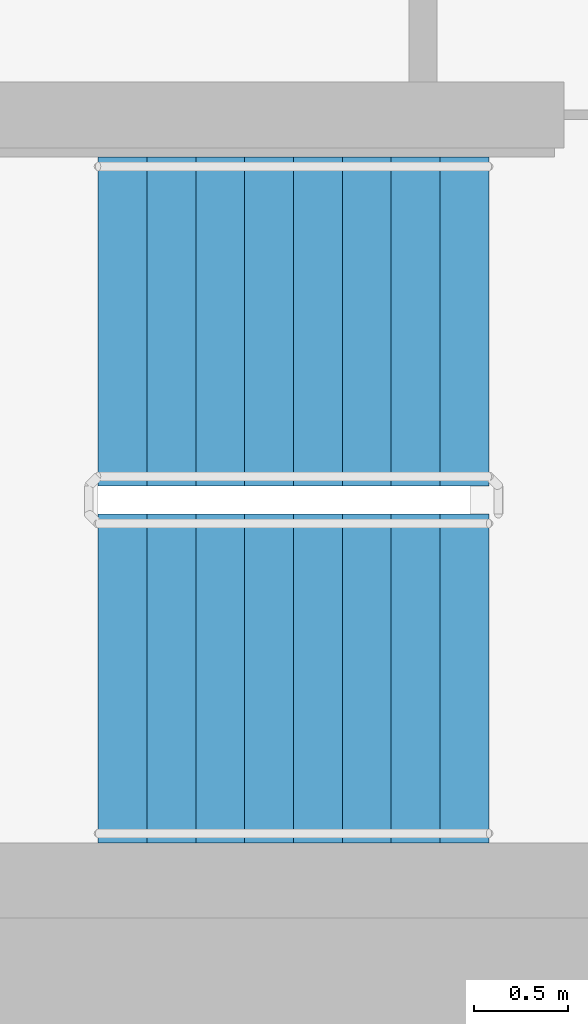
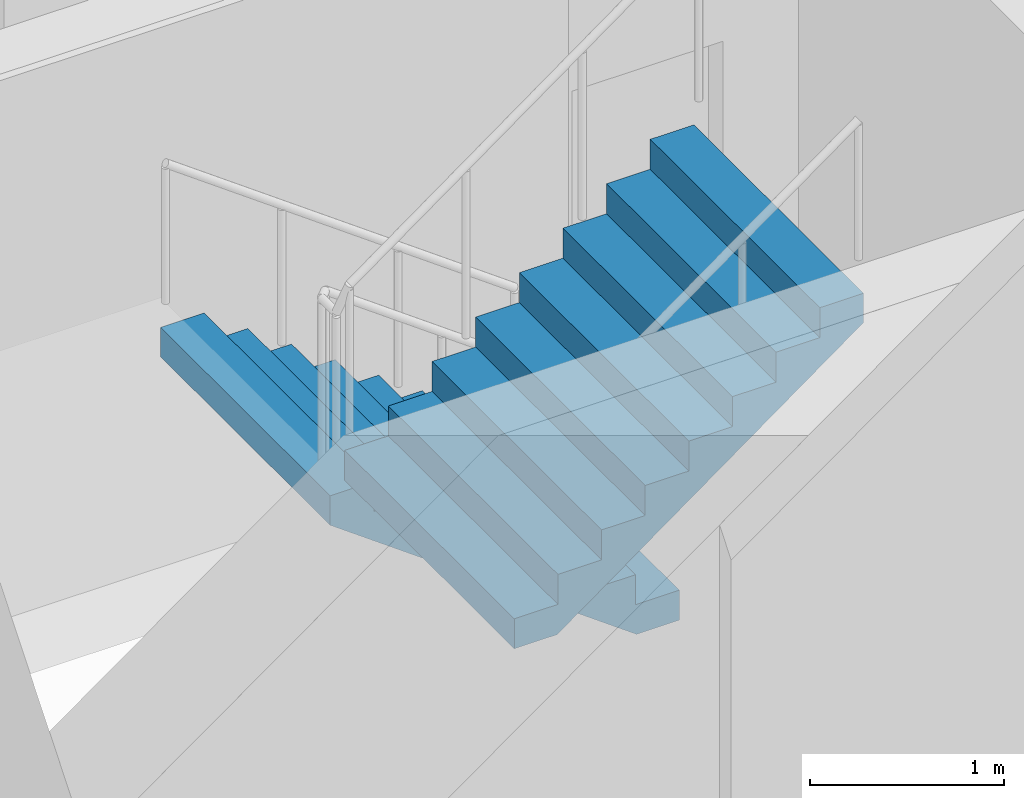
# One storey, part 13 of 19: 2 stair flights, 1 element without a shape of its own.
"""IFC4 building model written with IfcOpenShell, lengths in metres."""

from ifc_helpers import new_model, si_unit, direction, frame, origin, place, context, subcontext, project, spatial, faceted_brep, material, type_object, element, aggregate, save


model = new_model("IFC4")

# Units and contexts
model_context = context("Model", 3, precision=1e-05, world=origin(), true_north=direction((0.0, 1.0)))
body_context = subcontext(model_context, "Body", "Model", "MODEL_VIEW")
ifc_project = project(units=[si_unit("LENGTHUNIT", "METRE"), si_unit("AREAUNIT", "SQUARE_METRE"), si_unit("VOLUMEUNIT", "CUBIC_METRE"), si_unit("PLANEANGLEUNIT", "RADIAN"), si_unit("MASSUNIT", "GRAM", prefix="KILO")], contexts=[model_context])

# Site, building, storey
site_placement = place(None, origin())
site = spatial("IfcSite", under=ifc_project, at=site_placement, CompositionType="ELEMENT")
building_placement = place(site_placement, origin())
building = spatial("IfcBuilding", under=site, at=building_placement, Name="Ipe Terrace Towers", CompositionType="ELEMENT")
storey_placement = place(building_placement, frame((0.0, 0.0, 157.5)))
storey = spatial("IfcBuildingStorey", under=building, at=storey_placement, Name="L43", CompositionType="ELEMENT", Elevation=157.5)

# Stair, stair flights
ifc_material_1 = material(Name="Concrete C30/37", Category="concrete")
stair_type = type_object("IfcStairType", Name="Protected exit stair", PredefinedType="HALF_TURN_STAIR", material=ifc_material_1)
stair_placement = place(storey_placement, origin())
stair = element("IfcStair", 1, at=stair_placement, inside=storey, type_object=stair_type, Name="L43 Exit stair T1-C2", PredefinedType="HALF_TURN_STAIR")
ifc_material_2 = material(Name="Concrete C30/37", Category="concrete")
stair_flight_type = type_object("IfcStairFlightType", Name="Exit stair flight 1750", PredefinedType="STRAIGHT", material=ifc_material_2)
stair_flight_1_placement = place(storey_placement, frame((-45.699951171875, -2.77490234375, 0.0), z_axis=(0.0, 0.0, 1.0), x_axis=(-1.0, 0.0, 0.0)))
stair_flight_1 = element("IfcStairFlight", 2, at=stair_flight_1_placement, type_object=stair_flight_type, Name="T1-ST2 flight 1", NumberOfRisers=9, NumberOfTreads=8, PredefinedType="STRAIGHT", RiserHeight=0.188888889, TreadLength=0.26, context=body_context, shape_type="Brep", body=[
    faceted_brep([(0.255126953125, -0.875, 0.0), (2.080078125, -0.875, 1.325927734375), (2.080078125, -0.875, 1.51123046875), (1.820068359375, -0.875, 1.51123046875), (1.820068359375, -0.875, 1.322265625), (1.56005859375, -0.875, 1.322265625), (1.56005859375, -0.875, 1.13330078125), (1.300048828125, -0.875, 1.13330078125), (1.300048828125, -0.875, 0.9443359375), (1.0400390625, -0.875, 0.9443359375), (1.0400390625, -0.875, 0.755615234375), (0.780029296875, -0.875, 0.755615234375), (0.780029296875, -0.875, 0.566650390625), (0.52001953125, -0.875, 0.566650390625), (0.52001953125, -0.875, 0.377685546875), (0.260009765625, -0.875, 0.377685546875), (0.260009765625, -0.875, 0.18896484375), (0.0, -0.875, 0.18896484375), (0.0, -0.875, 0.0), (0.0, 0.875, 0.0), (0.0, 0.875, 0.18896484375), (0.260009765625, 0.875, 0.18896484375), (0.260009765625, 0.875, 0.377685546875), (0.52001953125, 0.875, 0.377685546875), (0.52001953125, 0.875, 0.566650390625), (0.780029296875, 0.875, 0.566650390625), (0.780029296875, 0.875, 0.755615234375), (1.0400390625, 0.875, 0.755615234375), (1.0400390625, 0.875, 0.9443359375), (1.300048828125, 0.875, 0.9443359375), (1.300048828125, 0.875, 1.13330078125), (1.56005859375, 0.875, 1.13330078125), (1.56005859375, 0.875, 1.322265625), (1.820068359375, 0.875, 1.322265625), (1.820068359375, 0.875, 1.51123046875), (2.080078125, 0.875, 1.51123046875), (2.080078125, 0.875, 1.325927734375), (0.255126953125, 0.875, 0.0), (0.0, -0.300048828125, 0.18896484375), (0.0, -0.1201171875, 0.18896484375), (0.0, -0.06005859375, 0.18896484375), (0.0, -0.030029296875, 0.18896484375), (0.0, -0.010009765625, 0.18896484375), (0.0, 0.0, 0.18896484375), (0.0, 0.010009765625, 0.18896484375), (0.0, 0.030029296875, 0.18896484375), (0.0, 0.06005859375, 0.18896484375), (0.0, 0.1201171875, 0.18896484375), (0.0, 0.300048828125, 0.18896484375), (0.0, 0.300048828125, 0.0), (0.0, 0.1201171875, 0.0), (0.0, 0.06005859375, 0.0), (0.0, 0.030029296875, 0.0), (0.0, 0.010009765625, 0.0), (0.0, 0.0, 0.0), (0.0, -0.010009765625, 0.0), (0.0, -0.030029296875, 0.0), (0.0, -0.06005859375, 0.0), (0.0, -0.1201171875, 0.0), (0.0, -0.300048828125, 0.0), (0.260009765625, -0.300048828125, 0.18896484375), (0.260009765625, -0.1201171875, 0.18896484375), (0.260009765625, -0.06005859375, 0.18896484375), (0.260009765625, -0.030029296875, 0.18896484375), (0.260009765625, -0.010009765625, 0.18896484375), (0.260009765625, 0.0, 0.18896484375), (0.260009765625, 0.010009765625, 0.18896484375), (0.260009765625, 0.030029296875, 0.18896484375), (0.260009765625, 0.06005859375, 0.18896484375), (0.260009765625, 0.1201171875, 0.18896484375), (0.260009765625, 0.300048828125, 0.18896484375), (0.260009765625, -0.300048828125, 0.377685546875), (0.260009765625, -0.1201171875, 0.377685546875), (0.260009765625, -0.06005859375, 0.377685546875), (0.260009765625, -0.030029296875, 0.377685546875), (0.260009765625, -0.010009765625, 0.377685546875), (0.260009765625, 0.0, 0.377685546875), (0.260009765625, 0.010009765625, 0.377685546875), (0.260009765625, 0.030029296875, 0.377685546875), (0.260009765625, 0.06005859375, 0.377685546875), (0.260009765625, 0.1201171875, 0.377685546875), (0.260009765625, 0.300048828125, 0.377685546875), (0.52001953125, -0.300048828125, 0.377685546875), (0.52001953125, -0.1201171875, 0.377685546875), (0.52001953125, -0.06005859375, 0.377685546875), (0.52001953125, -0.030029296875, 0.377685546875), (0.52001953125, -0.010009765625, 0.377685546875), (0.52001953125, 0.0, 0.377685546875), (0.52001953125, 0.010009765625, 0.377685546875), (0.52001953125, 0.030029296875, 0.377685546875), (0.52001953125, 0.06005859375, 0.377685546875), (0.52001953125, 0.1201171875, 0.377685546875), (0.52001953125, 0.300048828125, 0.377685546875), (0.52001953125, -0.300048828125, 0.566650390625), (0.52001953125, -0.1201171875, 0.566650390625), (0.52001953125, -0.06005859375, 0.566650390625), (0.52001953125, -0.030029296875, 0.566650390625), (0.52001953125, -0.010009765625, 0.566650390625), (0.52001953125, 0.0, 0.566650390625), (0.52001953125, 0.010009765625, 0.566650390625), (0.52001953125, 0.030029296875, 0.566650390625), (0.52001953125, 0.06005859375, 0.566650390625), (0.52001953125, 0.1201171875, 0.566650390625), (0.52001953125, 0.300048828125, 0.566650390625), (0.780029296875, -0.300048828125, 0.566650390625), (0.780029296875, -0.1201171875, 0.566650390625), (0.780029296875, -0.06005859375, 0.566650390625), (0.780029296875, -0.030029296875, 0.566650390625), (0.780029296875, -0.010009765625, 0.566650390625), (0.780029296875, 0.0, 0.566650390625), (0.780029296875, 0.010009765625, 0.566650390625), (0.780029296875, 0.030029296875, 0.566650390625), (0.780029296875, 0.06005859375, 0.566650390625), (0.780029296875, 0.1201171875, 0.566650390625), (0.780029296875, 0.300048828125, 0.566650390625), (0.780029296875, -0.300048828125, 0.755615234375), (0.780029296875, -0.1201171875, 0.755615234375), (0.780029296875, -0.06005859375, 0.755615234375), (0.780029296875, -0.030029296875, 0.755615234375), (0.780029296875, -0.010009765625, 0.755615234375), (0.780029296875, 0.0, 0.755615234375), (0.780029296875, 0.010009765625, 0.755615234375), (0.780029296875, 0.030029296875, 0.755615234375), (0.780029296875, 0.06005859375, 0.755615234375), (0.780029296875, 0.1201171875, 0.755615234375), (0.780029296875, 0.300048828125, 0.755615234375), (1.0400390625, -0.300048828125, 0.755615234375), (1.0400390625, -0.1201171875, 0.755615234375), (1.0400390625, -0.06005859375, 0.755615234375), (1.0400390625, -0.030029296875, 0.755615234375), (1.0400390625, -0.010009765625, 0.755615234375), (1.0400390625, 0.0, 0.755615234375), (1.0400390625, 0.010009765625, 0.755615234375), (1.0400390625, 0.030029296875, 0.755615234375), (1.0400390625, 0.06005859375, 0.755615234375), (1.0400390625, 0.1201171875, 0.755615234375), (1.0400390625, 0.300048828125, 0.755615234375), (1.0400390625, -0.300048828125, 0.9443359375), (1.0400390625, -0.1201171875, 0.9443359375), (1.0400390625, -0.06005859375, 0.9443359375), (1.0400390625, -0.030029296875, 0.9443359375), (1.0400390625, -0.010009765625, 0.9443359375), (1.0400390625, 0.0, 0.9443359375), (1.0400390625, 0.010009765625, 0.9443359375), (1.0400390625, 0.030029296875, 0.9443359375), (1.0400390625, 0.06005859375, 0.9443359375), (1.0400390625, 0.1201171875, 0.9443359375), (1.0400390625, 0.300048828125, 0.9443359375), (1.300048828125, -0.300048828125, 0.9443359375), (1.300048828125, -0.1201171875, 0.9443359375), (1.300048828125, -0.06005859375, 0.9443359375), (1.300048828125, -0.030029296875, 0.9443359375), (1.300048828125, -0.010009765625, 0.9443359375), (1.300048828125, 0.0, 0.9443359375), (1.300048828125, 0.010009765625, 0.9443359375), (1.300048828125, 0.030029296875, 0.9443359375), (1.300048828125, 0.06005859375, 0.9443359375), (1.300048828125, 0.1201171875, 0.9443359375), (1.300048828125, 0.300048828125, 0.9443359375), (1.300048828125, -0.300048828125, 1.13330078125), (1.300048828125, -0.1201171875, 1.13330078125), (1.300048828125, -0.06005859375, 1.13330078125), (1.300048828125, -0.030029296875, 1.13330078125), (1.300048828125, -0.010009765625, 1.13330078125), (1.300048828125, 0.0, 1.13330078125), (1.300048828125, 0.010009765625, 1.13330078125), (1.300048828125, 0.030029296875, 1.13330078125), (1.300048828125, 0.06005859375, 1.13330078125), (1.300048828125, 0.1201171875, 1.13330078125), (1.300048828125, 0.300048828125, 1.13330078125), (1.56005859375, -0.300048828125, 1.13330078125), (1.56005859375, -0.1201171875, 1.13330078125), (1.56005859375, -0.06005859375, 1.13330078125), (1.56005859375, -0.030029296875, 1.13330078125), (1.56005859375, -0.010009765625, 1.13330078125), (1.56005859375, 0.0, 1.13330078125), (1.56005859375, 0.010009765625, 1.13330078125), (1.56005859375, 0.030029296875, 1.13330078125), (1.56005859375, 0.06005859375, 1.13330078125), (1.56005859375, 0.1201171875, 1.13330078125), (1.56005859375, 0.300048828125, 1.13330078125), (1.56005859375, -0.300048828125, 1.322265625), (1.56005859375, -0.1201171875, 1.322265625), (1.56005859375, -0.06005859375, 1.322265625), (1.56005859375, -0.030029296875, 1.322265625), (1.56005859375, -0.010009765625, 1.322265625), (1.56005859375, 0.0, 1.322265625), (1.56005859375, 0.010009765625, 1.322265625), (1.56005859375, 0.030029296875, 1.322265625), (1.56005859375, 0.06005859375, 1.322265625), (1.56005859375, 0.1201171875, 1.322265625), (1.56005859375, 0.300048828125, 1.322265625), (1.820068359375, -0.300048828125, 1.322265625), (1.820068359375, -0.1201171875, 1.322265625), (1.820068359375, -0.06005859375, 1.322265625), (1.820068359375, -0.030029296875, 1.322265625), (1.820068359375, -0.010009765625, 1.322265625), (1.820068359375, 0.0, 1.322265625), (1.820068359375, 0.010009765625, 1.322265625), (1.820068359375, 0.030029296875, 1.322265625), (1.820068359375, 0.06005859375, 1.322265625), (1.820068359375, 0.1201171875, 1.322265625), (1.820068359375, 0.300048828125, 1.322265625), (1.820068359375, -0.300048828125, 1.51123046875), (1.820068359375, -0.1201171875, 1.51123046875), (1.820068359375, -0.06005859375, 1.51123046875), (1.820068359375, -0.030029296875, 1.51123046875), (1.820068359375, -0.010009765625, 1.51123046875), (1.820068359375, 0.0, 1.51123046875), (1.820068359375, 0.010009765625, 1.51123046875), (1.820068359375, 0.030029296875, 1.51123046875), (1.820068359375, 0.06005859375, 1.51123046875), (1.820068359375, 0.1201171875, 1.51123046875), (1.820068359375, 0.300048828125, 1.51123046875), (2.080078125, -0.300048828125, 1.51123046875), (2.080078125, -0.1201171875, 1.51123046875), (2.080078125, -0.06005859375, 1.51123046875), (2.080078125, -0.030029296875, 1.51123046875), (2.080078125, -0.010009765625, 1.51123046875), (2.080078125, 0.0, 1.51123046875), (2.080078125, 0.010009765625, 1.51123046875), (2.080078125, 0.030029296875, 1.51123046875), (2.080078125, 0.06005859375, 1.51123046875), (2.080078125, 0.1201171875, 1.51123046875), (2.080078125, 0.300048828125, 1.51123046875), (2.080078125, -0.300048828125, 1.325927734375), (2.080078125, -0.1201171875, 1.325927734375), (2.080078125, -0.06005859375, 1.325927734375), (2.080078125, -0.030029296875, 1.325927734375), (2.080078125, -0.010009765625, 1.325927734375), (2.080078125, 0.0, 1.325927734375), (2.080078125, 0.010009765625, 1.325927734375), (2.080078125, 0.030029296875, 1.325927734375), (2.080078125, 0.06005859375, 1.325927734375), (2.080078125, 0.1201171875, 1.325927734375), (2.080078125, 0.300048828125, 1.325927734375), (0.255126953125, -0.300048828125, 0.0), (0.255126953125, -0.1201171875, 0.0), (0.255126953125, -0.06005859375, 0.0), (0.255126953125, -0.030029296875, 0.0), (0.255126953125, -0.010009765625, 0.0), (0.255126953125, 0.0, 0.0), (0.255126953125, 0.010009765625, 0.0), (0.255126953125, 0.030029296875, 0.0), (0.255126953125, 0.06005859375, 0.0), (0.255126953125, 0.1201171875, 0.0), (0.255126953125, 0.300048828125, 0.0)], [[[0, 1, 2, 3, 4, 5, 6, 7, 8, 9, 10, 11, 12, 13, 14, 15, 16, 17, 18]], [[19, 20, 21, 22, 23, 24, 25, 26, 27, 28, 29, 30, 31, 32, 33, 34, 35, 36, 37]], [[17, 38, 39, 40, 41, 42, 43, 44, 45, 46, 47, 48, 20, 19, 49, 50, 51, 52, 53, 54, 55, 56, 57, 58, 59, 18]], [[16, 60, 61, 62, 63, 64, 65, 66, 67, 68, 69, 70, 21, 20, 48, 47, 46, 45, 44, 43, 42, 41, 40, 39, 38, 17]], [[15, 71, 72, 73, 74, 75, 76, 77, 78, 79, 80, 81, 22, 21, 70, 69, 68, 67, 66, 65, 64, 63, 62, 61, 60, 16]], [[14, 82, 83, 84, 85, 86, 87, 88, 89, 90, 91, 92, 23, 22, 81, 80, 79, 78, 77, 76, 75, 74, 73, 72, 71, 15]], [[13, 93, 94, 95, 96, 97, 98, 99, 100, 101, 102, 103, 24, 23, 92, 91, 90, 89, 88, 87, 86, 85, 84, 83, 82, 14]], [[12, 104, 105, 106, 107, 108, 109, 110, 111, 112, 113, 114, 25, 24, 103, 102, 101, 100, 99, 98, 97, 96, 95, 94, 93, 13]], [[11, 115, 116, 117, 118, 119, 120, 121, 122, 123, 124, 125, 26, 25, 114, 113, 112, 111, 110, 109, 108, 107, 106, 105, 104, 12]], [[10, 126, 127, 128, 129, 130, 131, 132, 133, 134, 135, 136, 27, 26, 125, 124, 123, 122, 121, 120, 119, 118, 117, 116, 115, 11]], [[9, 137, 138, 139, 140, 141, 142, 143, 144, 145, 146, 147, 28, 27, 136, 135, 134, 133, 132, 131, 130, 129, 128, 127, 126, 10]], [[8, 148, 149, 150, 151, 152, 153, 154, 155, 156, 157, 158, 29, 28, 147, 146, 145, 144, 143, 142, 141, 140, 139, 138, 137, 9]], [[7, 159, 160, 161, 162, 163, 164, 165, 166, 167, 168, 169, 30, 29, 158, 157, 156, 155, 154, 153, 152, 151, 150, 149, 148, 8]], [[6, 170, 171, 172, 173, 174, 175, 176, 177, 178, 179, 180, 31, 30, 169, 168, 167, 166, 165, 164, 163, 162, 161, 160, 159, 7]], [[5, 181, 182, 183, 184, 185, 186, 187, 188, 189, 190, 191, 32, 31, 180, 179, 178, 177, 176, 175, 174, 173, 172, 171, 170, 6]], [[4, 192, 193, 194, 195, 196, 197, 198, 199, 200, 201, 202, 33, 32, 191, 190, 189, 188, 187, 186, 185, 184, 183, 182, 181, 5]], [[3, 203, 204, 205, 206, 207, 208, 209, 210, 211, 212, 213, 34, 33, 202, 201, 200, 199, 198, 197, 196, 195, 194, 193, 192, 4]], [[2, 214, 215, 216, 217, 218, 219, 220, 221, 222, 223, 224, 35, 34, 213, 212, 211, 210, 209, 208, 207, 206, 205, 204, 203, 3]], [[1, 225, 226, 227, 228, 229, 230, 231, 232, 233, 234, 235, 36, 35, 224, 223, 222, 221, 220, 219, 218, 217, 216, 215, 214, 2]], [[0, 236, 237, 238, 239, 240, 241, 242, 243, 244, 245, 246, 37, 36, 235, 234, 233, 232, 231, 230, 229, 228, 227, 226, 225, 1]], [[18, 59, 58, 57, 56, 55, 54, 53, 52, 51, 50, 49, 19, 37, 246, 245, 244, 243, 242, 241, 240, 239, 238, 237, 236, 0]]]),
])
stair_flight_2_placement = place(storey_placement, frame((-47.780029296875, -4.675048828125, 1.699951171875), z_axis=(0.0, 0.0, 1.0), x_axis=(1.0, 0.0, 0.0)))
stair_flight_2 = element("IfcStairFlight", 3, at=stair_flight_2_placement, type_object=stair_flight_type, Name="T1-ST2 flight 2", NumberOfRisers=9, NumberOfTreads=8, PredefinedType="STRAIGHT", RiserHeight=0.188888889, TreadLength=0.26, context=body_context, shape_type="Brep", body=[
    faceted_brep([(0.255126953125, -0.875, 0.0), (2.080078125, -0.875, 1.325927734375), (2.080078125, -0.875, 1.51123046875), (1.820068359375, -0.875, 1.51123046875), (1.820068359375, -0.875, 1.322265625), (1.56005859375, -0.875, 1.322265625), (1.56005859375, -0.875, 1.13330078125), (1.300048828125, -0.875, 1.13330078125), (1.300048828125, -0.875, 0.9443359375), (1.0400390625, -0.875, 0.9443359375), (1.0400390625, -0.875, 0.755615234375), (0.780029296875, -0.875, 0.755615234375), (0.780029296875, -0.875, 0.566650390625), (0.52001953125, -0.875, 0.566650390625), (0.52001953125, -0.875, 0.377685546875), (0.260009765625, -0.875, 0.377685546875), (0.260009765625, -0.875, 0.18896484375), (0.0, -0.875, 0.18896484375), (0.0, -0.875, 0.0), (0.0, 0.875, 0.0), (0.0, 0.875, 0.18896484375), (0.260009765625, 0.875, 0.18896484375), (0.260009765625, 0.875, 0.377685546875), (0.52001953125, 0.875, 0.377685546875), (0.52001953125, 0.875, 0.566650390625), (0.780029296875, 0.875, 0.566650390625), (0.780029296875, 0.875, 0.755615234375), (1.0400390625, 0.875, 0.755615234375), (1.0400390625, 0.875, 0.9443359375), (1.300048828125, 0.875, 0.9443359375), (1.300048828125, 0.875, 1.13330078125), (1.56005859375, 0.875, 1.13330078125), (1.56005859375, 0.875, 1.322265625), (1.820068359375, 0.875, 1.322265625), (1.820068359375, 0.875, 1.51123046875), (2.080078125, 0.875, 1.51123046875), (2.080078125, 0.875, 1.325927734375), (0.255126953125, 0.875, 0.0), (0.0, -0.300048828125, 0.18896484375), (0.0, -0.1201171875, 0.18896484375), (0.0, -0.06005859375, 0.18896484375), (0.0, -0.030029296875, 0.18896484375), (0.0, -0.010009765625, 0.18896484375), (0.0, 0.0, 0.18896484375), (0.0, 0.010009765625, 0.18896484375), (0.0, 0.030029296875, 0.18896484375), (0.0, 0.06005859375, 0.18896484375), (0.0, 0.1201171875, 0.18896484375), (0.0, 0.300048828125, 0.18896484375), (0.0, 0.300048828125, 0.0), (0.0, 0.1201171875, 0.0), (0.0, 0.06005859375, 0.0), (0.0, 0.030029296875, 0.0), (0.0, 0.010009765625, 0.0), (0.0, 0.0, 0.0), (0.0, -0.010009765625, 0.0), (0.0, -0.030029296875, 0.0), (0.0, -0.06005859375, 0.0), (0.0, -0.1201171875, 0.0), (0.0, -0.300048828125, 0.0), (0.260009765625, -0.300048828125, 0.18896484375), (0.260009765625, -0.1201171875, 0.18896484375), (0.260009765625, -0.06005859375, 0.18896484375), (0.260009765625, -0.030029296875, 0.18896484375), (0.260009765625, -0.010009765625, 0.18896484375), (0.260009765625, 0.0, 0.18896484375), (0.260009765625, 0.010009765625, 0.18896484375), (0.260009765625, 0.030029296875, 0.18896484375), (0.260009765625, 0.06005859375, 0.18896484375), (0.260009765625, 0.1201171875, 0.18896484375), (0.260009765625, 0.300048828125, 0.18896484375), (0.260009765625, -0.300048828125, 0.377685546875), (0.260009765625, -0.1201171875, 0.377685546875), (0.260009765625, -0.06005859375, 0.377685546875), (0.260009765625, -0.030029296875, 0.377685546875), (0.260009765625, -0.010009765625, 0.377685546875), (0.260009765625, 0.0, 0.377685546875), (0.260009765625, 0.010009765625, 0.377685546875), (0.260009765625, 0.030029296875, 0.377685546875), (0.260009765625, 0.06005859375, 0.377685546875), (0.260009765625, 0.1201171875, 0.377685546875), (0.260009765625, 0.300048828125, 0.377685546875), (0.52001953125, -0.300048828125, 0.377685546875), (0.52001953125, -0.1201171875, 0.377685546875), (0.52001953125, -0.06005859375, 0.377685546875), (0.52001953125, -0.030029296875, 0.377685546875), (0.52001953125, -0.010009765625, 0.377685546875), (0.52001953125, 0.0, 0.377685546875), (0.52001953125, 0.010009765625, 0.377685546875), (0.52001953125, 0.030029296875, 0.377685546875), (0.52001953125, 0.06005859375, 0.377685546875), (0.52001953125, 0.1201171875, 0.377685546875), (0.52001953125, 0.300048828125, 0.377685546875), (0.52001953125, -0.300048828125, 0.566650390625), (0.52001953125, -0.1201171875, 0.566650390625), (0.52001953125, -0.06005859375, 0.566650390625), (0.52001953125, -0.030029296875, 0.566650390625), (0.52001953125, -0.010009765625, 0.566650390625), (0.52001953125, 0.0, 0.566650390625), (0.52001953125, 0.010009765625, 0.566650390625), (0.52001953125, 0.030029296875, 0.566650390625), (0.52001953125, 0.06005859375, 0.566650390625), (0.52001953125, 0.1201171875, 0.566650390625), (0.52001953125, 0.300048828125, 0.566650390625), (0.780029296875, -0.300048828125, 0.566650390625), (0.780029296875, -0.1201171875, 0.566650390625), (0.780029296875, -0.06005859375, 0.566650390625), (0.780029296875, -0.030029296875, 0.566650390625), (0.780029296875, -0.010009765625, 0.566650390625), (0.780029296875, 0.0, 0.566650390625), (0.780029296875, 0.010009765625, 0.566650390625), (0.780029296875, 0.030029296875, 0.566650390625), (0.780029296875, 0.06005859375, 0.566650390625), (0.780029296875, 0.1201171875, 0.566650390625), (0.780029296875, 0.300048828125, 0.566650390625), (0.780029296875, -0.300048828125, 0.755615234375), (0.780029296875, -0.1201171875, 0.755615234375), (0.780029296875, -0.06005859375, 0.755615234375), (0.780029296875, -0.030029296875, 0.755615234375), (0.780029296875, -0.010009765625, 0.755615234375), (0.780029296875, 0.0, 0.755615234375), (0.780029296875, 0.010009765625, 0.755615234375), (0.780029296875, 0.030029296875, 0.755615234375), (0.780029296875, 0.06005859375, 0.755615234375), (0.780029296875, 0.1201171875, 0.755615234375), (0.780029296875, 0.300048828125, 0.755615234375), (1.0400390625, -0.300048828125, 0.755615234375), (1.0400390625, -0.1201171875, 0.755615234375), (1.0400390625, -0.06005859375, 0.755615234375), (1.0400390625, -0.030029296875, 0.755615234375), (1.0400390625, -0.010009765625, 0.755615234375), (1.0400390625, 0.0, 0.755615234375), (1.0400390625, 0.010009765625, 0.755615234375), (1.0400390625, 0.030029296875, 0.755615234375), (1.0400390625, 0.06005859375, 0.755615234375), (1.0400390625, 0.1201171875, 0.755615234375), (1.0400390625, 0.300048828125, 0.755615234375), (1.0400390625, -0.300048828125, 0.9443359375), (1.0400390625, -0.1201171875, 0.9443359375), (1.0400390625, -0.06005859375, 0.9443359375), (1.0400390625, -0.030029296875, 0.9443359375), (1.0400390625, -0.010009765625, 0.9443359375), (1.0400390625, 0.0, 0.9443359375), (1.0400390625, 0.010009765625, 0.9443359375), (1.0400390625, 0.030029296875, 0.9443359375), (1.0400390625, 0.06005859375, 0.9443359375), (1.0400390625, 0.1201171875, 0.9443359375), (1.0400390625, 0.300048828125, 0.9443359375), (1.300048828125, -0.300048828125, 0.9443359375), (1.300048828125, -0.1201171875, 0.9443359375), (1.300048828125, -0.06005859375, 0.9443359375), (1.300048828125, -0.030029296875, 0.9443359375), (1.300048828125, -0.010009765625, 0.9443359375), (1.300048828125, 0.0, 0.9443359375), (1.300048828125, 0.010009765625, 0.9443359375), (1.300048828125, 0.030029296875, 0.9443359375), (1.300048828125, 0.06005859375, 0.9443359375), (1.300048828125, 0.1201171875, 0.9443359375), (1.300048828125, 0.300048828125, 0.9443359375), (1.300048828125, -0.300048828125, 1.13330078125), (1.300048828125, -0.1201171875, 1.13330078125), (1.300048828125, -0.06005859375, 1.13330078125), (1.300048828125, -0.030029296875, 1.13330078125), (1.300048828125, -0.010009765625, 1.13330078125), (1.300048828125, 0.0, 1.13330078125), (1.300048828125, 0.010009765625, 1.13330078125), (1.300048828125, 0.030029296875, 1.13330078125), (1.300048828125, 0.06005859375, 1.13330078125), (1.300048828125, 0.1201171875, 1.13330078125), (1.300048828125, 0.300048828125, 1.13330078125), (1.56005859375, -0.300048828125, 1.13330078125), (1.56005859375, -0.1201171875, 1.13330078125), (1.56005859375, -0.06005859375, 1.13330078125), (1.56005859375, -0.030029296875, 1.13330078125), (1.56005859375, -0.010009765625, 1.13330078125), (1.56005859375, 0.0, 1.13330078125), (1.56005859375, 0.010009765625, 1.13330078125), (1.56005859375, 0.030029296875, 1.13330078125), (1.56005859375, 0.06005859375, 1.13330078125), (1.56005859375, 0.1201171875, 1.13330078125), (1.56005859375, 0.300048828125, 1.13330078125), (1.56005859375, -0.300048828125, 1.322265625), (1.56005859375, -0.1201171875, 1.322265625), (1.56005859375, -0.06005859375, 1.322265625), (1.56005859375, -0.030029296875, 1.322265625), (1.56005859375, -0.010009765625, 1.322265625), (1.56005859375, 0.0, 1.322265625), (1.56005859375, 0.010009765625, 1.322265625), (1.56005859375, 0.030029296875, 1.322265625), (1.56005859375, 0.06005859375, 1.322265625), (1.56005859375, 0.1201171875, 1.322265625), (1.56005859375, 0.300048828125, 1.322265625), (1.820068359375, -0.300048828125, 1.322265625), (1.820068359375, -0.1201171875, 1.322265625), (1.820068359375, -0.06005859375, 1.322265625), (1.820068359375, -0.030029296875, 1.322265625), (1.820068359375, -0.010009765625, 1.322265625), (1.820068359375, 0.0, 1.322265625), (1.820068359375, 0.010009765625, 1.322265625), (1.820068359375, 0.030029296875, 1.322265625), (1.820068359375, 0.06005859375, 1.322265625), (1.820068359375, 0.1201171875, 1.322265625), (1.820068359375, 0.300048828125, 1.322265625), (1.820068359375, -0.300048828125, 1.51123046875), (1.820068359375, -0.1201171875, 1.51123046875), (1.820068359375, -0.06005859375, 1.51123046875), (1.820068359375, -0.030029296875, 1.51123046875), (1.820068359375, -0.010009765625, 1.51123046875), (1.820068359375, 0.0, 1.51123046875), (1.820068359375, 0.010009765625, 1.51123046875), (1.820068359375, 0.030029296875, 1.51123046875), (1.820068359375, 0.06005859375, 1.51123046875), (1.820068359375, 0.1201171875, 1.51123046875), (1.820068359375, 0.300048828125, 1.51123046875), (2.080078125, -0.300048828125, 1.51123046875), (2.080078125, -0.1201171875, 1.51123046875), (2.080078125, -0.06005859375, 1.51123046875), (2.080078125, -0.030029296875, 1.51123046875), (2.080078125, -0.010009765625, 1.51123046875), (2.080078125, 0.0, 1.51123046875), (2.080078125, 0.010009765625, 1.51123046875), (2.080078125, 0.030029296875, 1.51123046875), (2.080078125, 0.06005859375, 1.51123046875), (2.080078125, 0.1201171875, 1.51123046875), (2.080078125, 0.300048828125, 1.51123046875), (2.080078125, -0.300048828125, 1.325927734375), (2.080078125, -0.1201171875, 1.325927734375), (2.080078125, -0.06005859375, 1.325927734375), (2.080078125, -0.030029296875, 1.325927734375), (2.080078125, -0.010009765625, 1.325927734375), (2.080078125, 0.0, 1.325927734375), (2.080078125, 0.010009765625, 1.325927734375), (2.080078125, 0.030029296875, 1.325927734375), (2.080078125, 0.06005859375, 1.325927734375), (2.080078125, 0.1201171875, 1.325927734375), (2.080078125, 0.300048828125, 1.325927734375), (0.255126953125, -0.300048828125, 0.0), (0.255126953125, -0.1201171875, 0.0), (0.255126953125, -0.06005859375, 0.0), (0.255126953125, -0.030029296875, 0.0), (0.255126953125, -0.010009765625, 0.0), (0.255126953125, 0.0, 0.0), (0.255126953125, 0.010009765625, 0.0), (0.255126953125, 0.030029296875, 0.0), (0.255126953125, 0.06005859375, 0.0), (0.255126953125, 0.1201171875, 0.0), (0.255126953125, 0.300048828125, 0.0)], [[[0, 1, 2, 3, 4, 5, 6, 7, 8, 9, 10, 11, 12, 13, 14, 15, 16, 17, 18]], [[19, 20, 21, 22, 23, 24, 25, 26, 27, 28, 29, 30, 31, 32, 33, 34, 35, 36, 37]], [[17, 38, 39, 40, 41, 42, 43, 44, 45, 46, 47, 48, 20, 19, 49, 50, 51, 52, 53, 54, 55, 56, 57, 58, 59, 18]], [[16, 60, 61, 62, 63, 64, 65, 66, 67, 68, 69, 70, 21, 20, 48, 47, 46, 45, 44, 43, 42, 41, 40, 39, 38, 17]], [[15, 71, 72, 73, 74, 75, 76, 77, 78, 79, 80, 81, 22, 21, 70, 69, 68, 67, 66, 65, 64, 63, 62, 61, 60, 16]], [[14, 82, 83, 84, 85, 86, 87, 88, 89, 90, 91, 92, 23, 22, 81, 80, 79, 78, 77, 76, 75, 74, 73, 72, 71, 15]], [[13, 93, 94, 95, 96, 97, 98, 99, 100, 101, 102, 103, 24, 23, 92, 91, 90, 89, 88, 87, 86, 85, 84, 83, 82, 14]], [[12, 104, 105, 106, 107, 108, 109, 110, 111, 112, 113, 114, 25, 24, 103, 102, 101, 100, 99, 98, 97, 96, 95, 94, 93, 13]], [[11, 115, 116, 117, 118, 119, 120, 121, 122, 123, 124, 125, 26, 25, 114, 113, 112, 111, 110, 109, 108, 107, 106, 105, 104, 12]], [[10, 126, 127, 128, 129, 130, 131, 132, 133, 134, 135, 136, 27, 26, 125, 124, 123, 122, 121, 120, 119, 118, 117, 116, 115, 11]], [[9, 137, 138, 139, 140, 141, 142, 143, 144, 145, 146, 147, 28, 27, 136, 135, 134, 133, 132, 131, 130, 129, 128, 127, 126, 10]], [[8, 148, 149, 150, 151, 152, 153, 154, 155, 156, 157, 158, 29, 28, 147, 146, 145, 144, 143, 142, 141, 140, 139, 138, 137, 9]], [[7, 159, 160, 161, 162, 163, 164, 165, 166, 167, 168, 169, 30, 29, 158, 157, 156, 155, 154, 153, 152, 151, 150, 149, 148, 8]], [[6, 170, 171, 172, 173, 174, 175, 176, 177, 178, 179, 180, 31, 30, 169, 168, 167, 166, 165, 164, 163, 162, 161, 160, 159, 7]], [[5, 181, 182, 183, 184, 185, 186, 187, 188, 189, 190, 191, 32, 31, 180, 179, 178, 177, 176, 175, 174, 173, 172, 171, 170, 6]], [[4, 192, 193, 194, 195, 196, 197, 198, 199, 200, 201, 202, 33, 32, 191, 190, 189, 188, 187, 186, 185, 184, 183, 182, 181, 5]], [[3, 203, 204, 205, 206, 207, 208, 209, 210, 211, 212, 213, 34, 33, 202, 201, 200, 199, 198, 197, 196, 195, 194, 193, 192, 4]], [[2, 214, 215, 216, 217, 218, 219, 220, 221, 222, 223, 224, 35, 34, 213, 212, 211, 210, 209, 208, 207, 206, 205, 204, 203, 3]], [[1, 225, 226, 227, 228, 229, 230, 231, 232, 233, 234, 235, 36, 35, 224, 223, 222, 221, 220, 219, 218, 217, 216, 215, 214, 2]], [[0, 236, 237, 238, 239, 240, 241, 242, 243, 244, 245, 246, 37, 36, 235, 234, 233, 232, 231, 230, 229, 228, 227, 226, 225, 1]], [[18, 59, 58, 57, 56, 55, 54, 53, 52, 51, 50, 49, 19, 37, 246, 245, 244, 243, 242, 241, 240, 239, 238, 237, 236, 0]]]),
])
aggregate(stair, [stair_flight_1, stair_flight_2])

save(model, "model.ifc")
